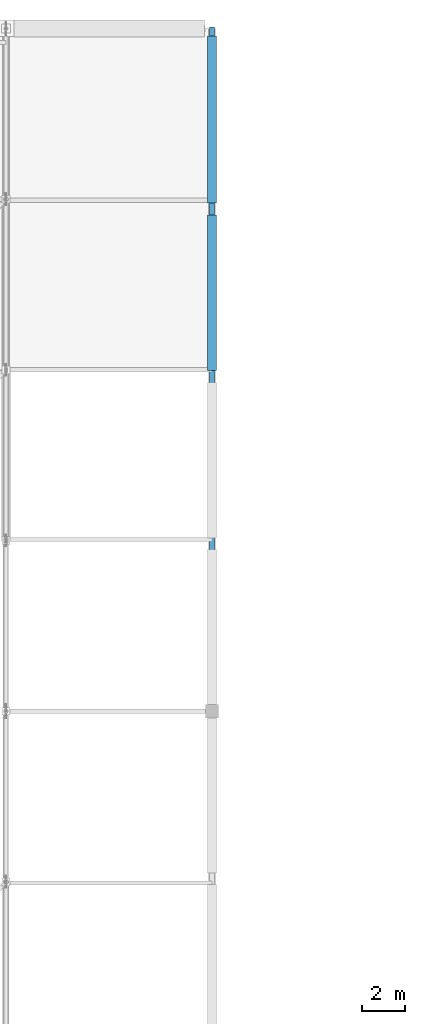
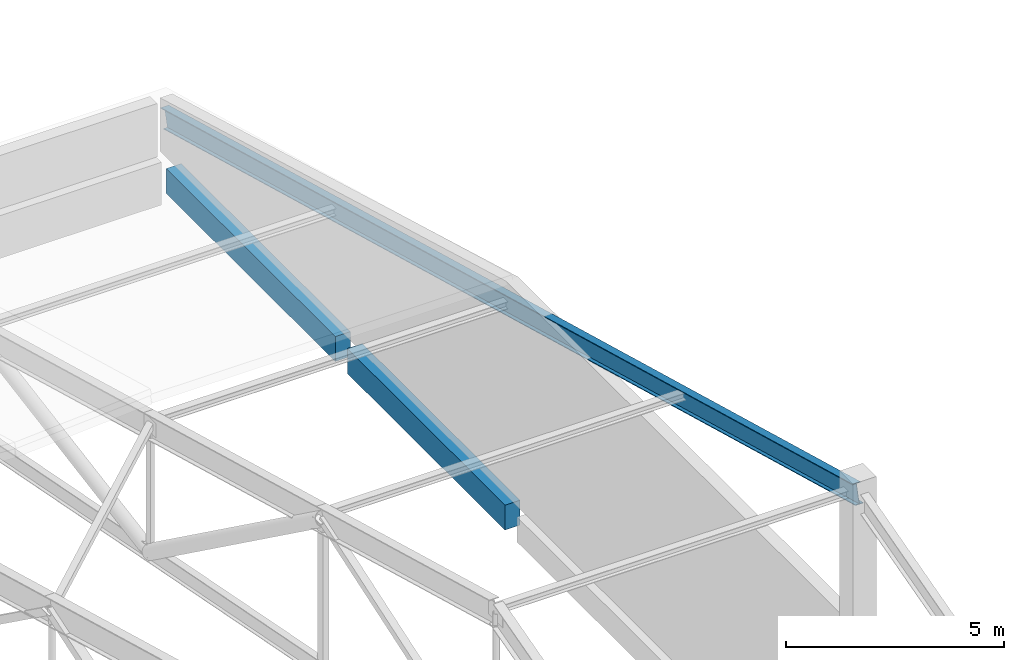
# One storey, part 28 of 53: 3 beams.
"""IFC4 building model written with IfcOpenShell, lengths in metres."""

from ifc_helpers import new_model, si_unit, direction, frame, origin, origin_2d, place, context, subcontext, project, spatial, rectangle, i_section, extrude, material, material_profile, profile_set, type_object, element, save


model = new_model("IFC4")

# Units and contexts
model_context = context("Model", 3, precision=1e-05, world=origin(), true_north=direction((0.0, 1.0)))
body_context = subcontext(model_context, "Body", "Model", "MODEL_VIEW")
ifc_project = project(units=[si_unit("LENGTHUNIT", "METRE"), si_unit("AREAUNIT", "SQUARE_METRE"), si_unit("VOLUMEUNIT", "CUBIC_METRE"), si_unit("PLANEANGLEUNIT", "RADIAN"), si_unit("MASSUNIT", "GRAM", prefix="KILO")], contexts=[model_context])

# Site, building, storey
site_placement = place(None, origin())
site = spatial("IfcSite", under=ifc_project, at=site_placement, CompositionType="ELEMENT")
building_placement = place(site_placement, origin())
building = spatial("IfcBuilding", under=site, at=building_placement, Name="Pellamere Symphony Hall", CompositionType="ELEMENT")
storey_placement = place(building_placement, frame((0.0, 0.0, 24.0)))
storey = spatial("IfcBuildingStorey", under=building, at=storey_placement, Name="L05", CompositionType="ELEMENT", Elevation=24.0)

# Beams
ifc_material_1 = material(Name="Concrete 40 MPa", Category="concrete")
ifc_material_profile_1 = material_profile(ifc_material_1, rectangle(XDim=0.39990234375, YDim=0.699951171875, at=origin_2d()), Name="RC 400x700")
ifc_profile_set_1 = profile_set([ifc_material_profile_1], Name="Concrete 40 MPa")
beam_type_1 = type_object("IfcBeamType", Name="RC CB-13 400x700", PredefinedType="SPANDREL", material=ifc_profile_set_1)
beam_1_placement = place(storey_placement, frame((118.800048828125, 77.675048828125, -0.610107421875), z_axis=(0.0, 1.0, 0.0), x_axis=(-1.0, 0.0, 0.0)))
element("IfcBeam", 1, at=beam_1_placement, inside=storey, type_object=beam_type_1, Name="Girder CB-13-Y2106 (L05)", PredefinedType="SPANDREL", context=body_context, shape_type="SweptSolid", body=[
    extrude(rectangle(XDim=0.39990234375, YDim=0.699951171875, at=origin_2d()), origin(), (0.0, 0.0, 1.0), 7.25),
])
beam_2_placement = place(storey_placement, frame((118.800048828125, 85.47509765625, -0.610107421875), z_axis=(0.0, 1.0, 0.0), x_axis=(-1.0, 0.0, 0.0)))
element("IfcBeam", 2, at=beam_2_placement, inside=storey, type_object=beam_type_1, Name="Girder CB-13-Y2107 (L05)", PredefinedType="SPANDREL", context=body_context, shape_type="SweptSolid", body=[
    extrude(rectangle(XDim=0.39990234375, YDim=0.699951171875, at=origin_2d()), origin(), (0.0, 0.0, 1.0), 7.77490234375),
])
ifc_material_2 = material(Name="Steel CSA G40.21 350W", Category="steel")
ifc_material_profile_2 = material_profile(ifc_material_2, i_section(OverallWidth=0.2109375, OverallDepth=0.5390625, WebThickness=0.01171875, FlangeThickness=0.018798828125, at=origin_2d()), Name="W530X109")
ifc_profile_set_2 = profile_set([ifc_material_profile_2], Name="Steel CSA G40.21 350W")
beam_type_2 = type_object("IfcBeamType", Name="Steel Beam SB-14 W530X109", PredefinedType="BEAM", material=ifc_profile_set_2)
beam_3_placement = place(storey_placement, frame((118.800048828125, 61.800048828125, 9.6201171875), z_axis=(0.0, 0.964397416122, -0.264457224855), x_axis=(-1.0, 0.0, 0.0)))
element("IfcBeam", 3, at=beam_3_placement, inside=storey, type_object=beam_type_2, Name="Crystal Gable Rafter E-N", PredefinedType="BEAM", context=body_context, shape_type="SweptSolid", body=[
    extrude(i_section(OverallWidth=0.2109375, OverallDepth=0.5390625, WebThickness=0.01171875, FlangeThickness=0.018798828125, at=origin_2d()), origin(), (0.0, 0.0, 1.0), 32.97412109375),
])

save(model, "model.ifc")
